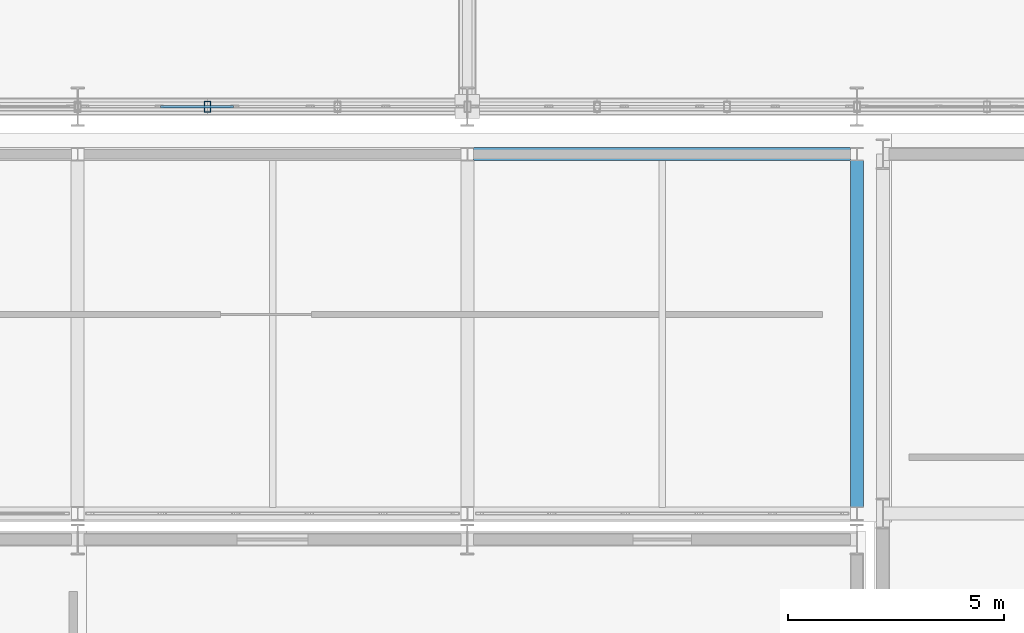
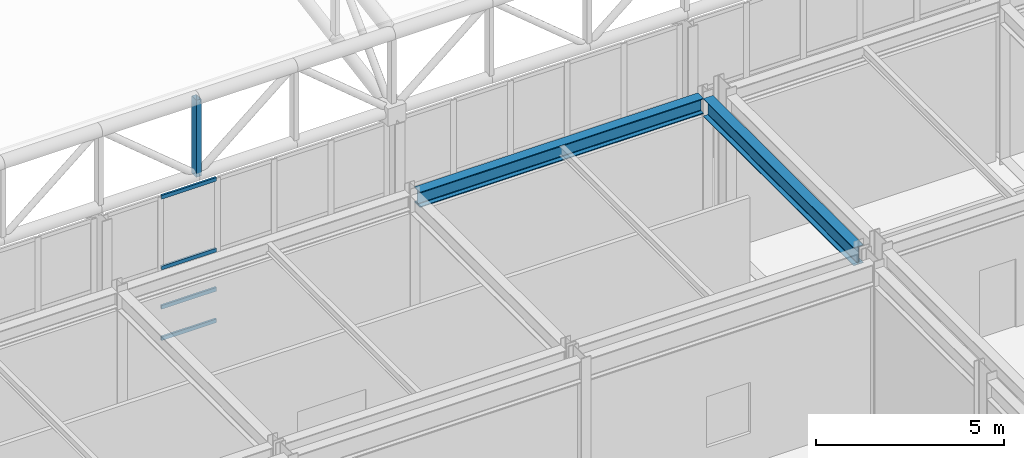
# One storey, part 44 of 239: 5 members, 2 beams, 1 element without a shape of its own.
"""IFC4 building model written with IfcOpenShell, lengths in metres."""

from ifc_helpers import new_model, si_unit, direction, frame, origin, origin_2d, place, context, subcontext, project, spatial, hollow_rectangle, i_section, extrude, material, material_profile, profile_set, type_object, element, aggregate, save


model = new_model("IFC4")

# Units and contexts
model_context = context("Model", 3, precision=1e-05, world=origin(), true_north=direction((0.0, 1.0)))
body_context = subcontext(model_context, "Body", "Model", "MODEL_VIEW")
ifc_project = project(units=[si_unit("LENGTHUNIT", "METRE"), si_unit("AREAUNIT", "SQUARE_METRE"), si_unit("VOLUMEUNIT", "CUBIC_METRE"), si_unit("PLANEANGLEUNIT", "RADIAN"), si_unit("MASSUNIT", "GRAM", prefix="KILO")], contexts=[model_context])

# Site, building, storey
site_placement = place(None, origin())
site = spatial("IfcSite", under=ifc_project, at=site_placement, CompositionType="ELEMENT")
building_placement = place(site_placement, origin())
building = spatial("IfcBuilding", under=site, at=building_placement, Name="Kaldris Quays Convention Centre", CompositionType="ELEMENT")
storey_placement = place(building_placement, frame((0.0, 0.0, 11.39990234375)))
storey = spatial("IfcBuildingStorey", under=building, at=storey_placement, Name="L02", CompositionType="ELEMENT", Elevation=11.39990234375)

# Curtain wall, members
ifc_material_1 = material(Name="Anodized aluminium AW-6060 and triple glazing", Category="aluminium")
curtain_wall_type = type_object("IfcCurtainWallType", Name="UNITISED CURTAIN WALL CW03", PredefinedType="NOTDEFINED", material=ifc_material_1)
curtain_wall_placement = place(storey_placement, origin())
curtain_wall = element("IfcCurtainWall", 1, at=curtain_wall_placement, inside=storey, type_object=curtain_wall_type, Name="L02 Unitised Curtain Wall CW03 237", PredefinedType="NOTDEFINED")
ifc_material_2 = material(Name="Anodized aluminium AW-6060", Category="aluminium")
ifc_material_profile_1 = material_profile(ifc_material_2, hollow_rectangle(XDim=0.06005859375, YDim=0.1201171875, WallThickness=0.00390625, at=origin_2d()), Name="RHS 120x60x4")
ifc_profile_set_1 = profile_set([ifc_material_profile_1], Name="Anodized aluminium AW-6060")
member_type_1 = type_object("IfcMemberType", Name="CURTAIN TRANSOM CWT1", PredefinedType="USERDEFINED", material=ifc_profile_set_1)
member_1_placement = place(storey_placement, frame((66.9140625, 56.0, 2.22509765625), z_axis=(1.0, 0.0, 0.0), x_axis=(0.0, 1.0, 0.0)))
member_1 = element("IfcMember", 2, at=member_1_placement, type_object=member_type_1, Name="CW03 transom 2.1", ObjectType="TRANSOM", PredefinedType="USERDEFINED", context=body_context, shape_type="SweptSolid", body=[
    extrude(hollow_rectangle(XDim=0.06005859375, YDim=0.1201171875, WallThickness=0.00390625, at=origin_2d()), origin(), (0.0, 0.0, 1.0), 1.683837890625),
])
member_2_placement = place(storey_placement, frame((66.9140625, 56.0, 3.2451171875), z_axis=(1.0, 0.0, 0.0), x_axis=(0.0, 1.0, 0.0)))
member_2 = element("IfcMember", 3, at=member_2_placement, type_object=member_type_1, Name="CW03 transom 2.2", ObjectType="TRANSOM", PredefinedType="USERDEFINED", context=body_context, shape_type="SweptSolid", body=[
    extrude(hollow_rectangle(XDim=0.06005859375, YDim=0.1201171875, WallThickness=0.00390625, at=origin_2d()), origin(), (0.0, 0.0, 1.0), 1.683837890625),
])
member_3_placement = place(storey_placement, frame((66.9140625, 56.0, 4.522216796875), z_axis=(1.0, 0.0, 0.0), x_axis=(0.0, 1.0, 0.0)))
member_3 = element("IfcMember", 4, at=member_3_placement, type_object=member_type_1, Name="CW03 transom 2.3", ObjectType="TRANSOM", PredefinedType="USERDEFINED", context=body_context, shape_type="SweptSolid", body=[
    extrude(hollow_rectangle(XDim=0.06005859375, YDim=0.1201171875, WallThickness=0.00390625, at=origin_2d()), origin(), (0.0, 0.0, 1.0), 1.683837890625),
])
member_4_placement = place(storey_placement, frame((66.9140625, 56.0, 6.820068359375), z_axis=(1.0, 0.0, 0.0), x_axis=(0.0, 1.0, 0.0)))
member_4 = element("IfcMember", 5, at=member_4_placement, type_object=member_type_1, Name="CW03 transom 2.4", ObjectType="TRANSOM", PredefinedType="USERDEFINED", context=body_context, shape_type="SweptSolid", body=[
    extrude(hollow_rectangle(XDim=0.06005859375, YDim=0.1201171875, WallThickness=0.00390625, at=origin_2d()), origin(), (0.0, 0.0, 1.0), 1.683837890625),
])
aggregate(curtain_wall, [member_1, member_2, member_3, member_4])

# Beams
ifc_material_3 = material(Name="Steel S355J2", Category="steel")
ifc_material_profile_2 = material_profile(ifc_material_3, i_section(OverallWidth=0.300048828125, OverallDepth=0.5, WebThickness=0.014404296875, FlangeThickness=0.028076171875, FilletRadius=0.027099609375, at=origin_2d()), Name="HEB 500")
ifc_profile_set_2 = profile_set([ifc_material_profile_2], Name="Steel S355J2")
beam_type_1 = type_object("IfcBeamType", Name="STRUCTURAL BEAM BM06", PredefinedType="BEAM", material=ifc_profile_set_2)
beam_1_placement = place(storey_placement, frame((74.14404296875, 54.89990234375, 4.943115234375), z_axis=(1.0, 0.0, 0.0), x_axis=(0.0, 1.0, 0.0)))
element("IfcBeam", 6, at=beam_1_placement, inside=storey, type_object=beam_type_1, Name="L02 Girder BM06 12", PredefinedType="BEAM", context=body_context, shape_type="SweptSolid", body=[
    extrude(i_section(OverallWidth=0.300048828125, OverallDepth=0.5, WebThickness=0.014404296875, FlangeThickness=0.028076171875, FilletRadius=0.027099609375, at=origin_2d()), origin(), (0.0, 0.0, 1.0), 8.7119140625),
])
ifc_material_profile_3 = material_profile(ifc_material_3, i_section(OverallWidth=0.300048828125, OverallDepth=0.590087890625, WebThickness=0.012939453125, FlangeThickness=0.02490234375, FilletRadius=0.027099609375, at=origin_2d()), Name="HEA 600")
ifc_profile_set_3 = profile_set([ifc_material_profile_3], Name="Steel S355J2")
beam_type_2 = type_object("IfcBeamType", Name="STRUCTURAL BEAM BM08", PredefinedType="BEAM", material=ifc_profile_set_3)
beam_2_placement = place(storey_placement, frame((83.0, 46.7490234375, 4.898193359375), z_axis=(0.0, 1.0, 0.0), x_axis=(-1.0, 0.0, 0.0)))
element("IfcBeam", 7, at=beam_2_placement, inside=storey, type_object=beam_type_2, Name="L02 Girder BM08 19", PredefinedType="BEAM", context=body_context, shape_type="SweptSolid", body=[
    extrude(i_section(OverallWidth=0.300048828125, OverallDepth=0.590087890625, WebThickness=0.012939453125, FlangeThickness=0.02490234375, FilletRadius=0.027099609375, at=origin_2d()), origin(), (0.0, 0.0, 1.0), 8.001953125),
])

# Member
ifc_material_4 = material(Name="Steel S355J2H", Category="steel")
ifc_material_profile_4 = material_profile(ifc_material_4, hollow_rectangle(XDim=0.14990234375, YDim=0.25, WallThickness=0.010009765625, at=origin_2d()), Name="RHS 250x150x10")
ifc_profile_set_4 = profile_set([ifc_material_profile_4], Name="Steel S355J2H")
member_type_2 = type_object("IfcMemberType", Name="STRUCTURAL MEMBER TTV1", PredefinedType="POST", material=ifc_profile_set_4)
member_5_placement = place(storey_placement, frame((68.0, 56.0, 7.171875), z_axis=(0.0, 0.0, 1.0), x_axis=(1.0, 0.0, 0.0)))
element("IfcMember", 8, at=member_5_placement, inside=storey, type_object=member_type_2, Name="SF-V1 Space-Frame Post 192", PredefinedType="POST", context=body_context, shape_type="SweptSolid", body=[
    extrude(hollow_rectangle(XDim=0.14990234375, YDim=0.25, WallThickness=0.010009765625, at=origin_2d()), origin(), (0.0, 0.0, 1.0), 2.5),
])

save(model, "model.ifc")
